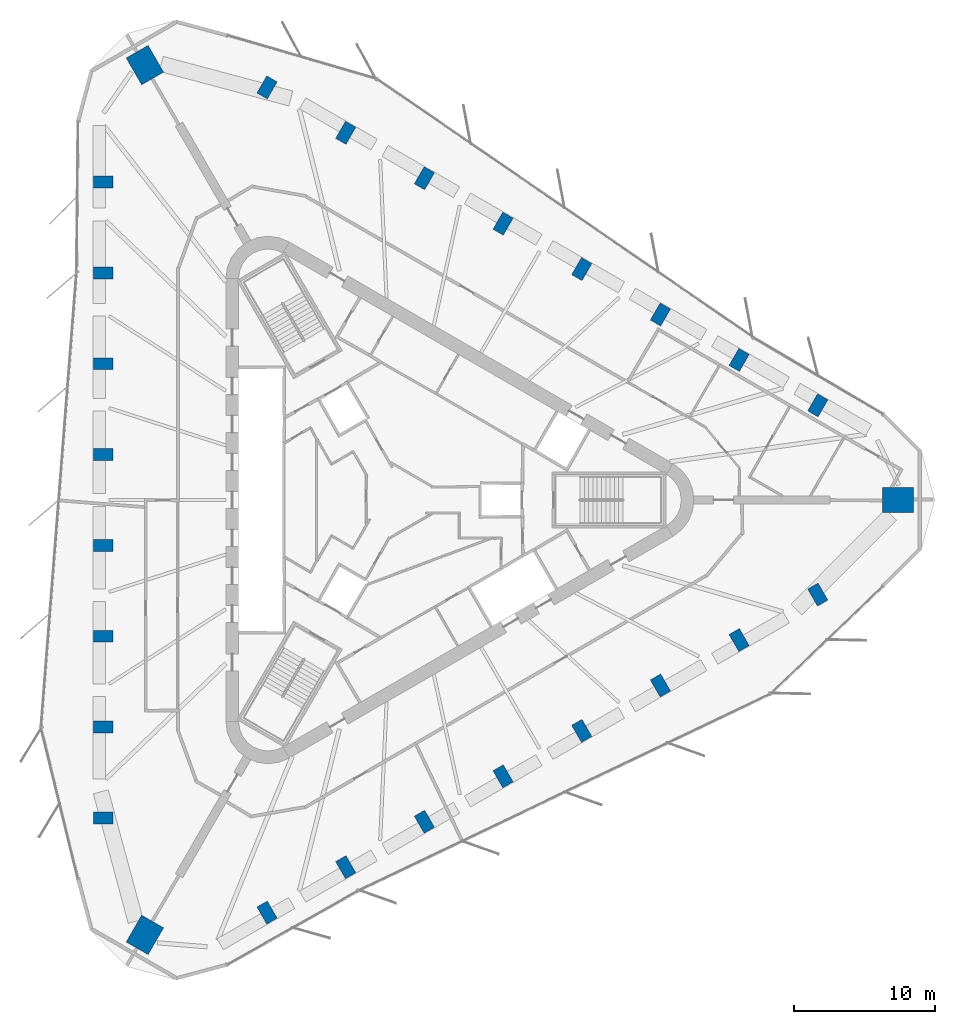
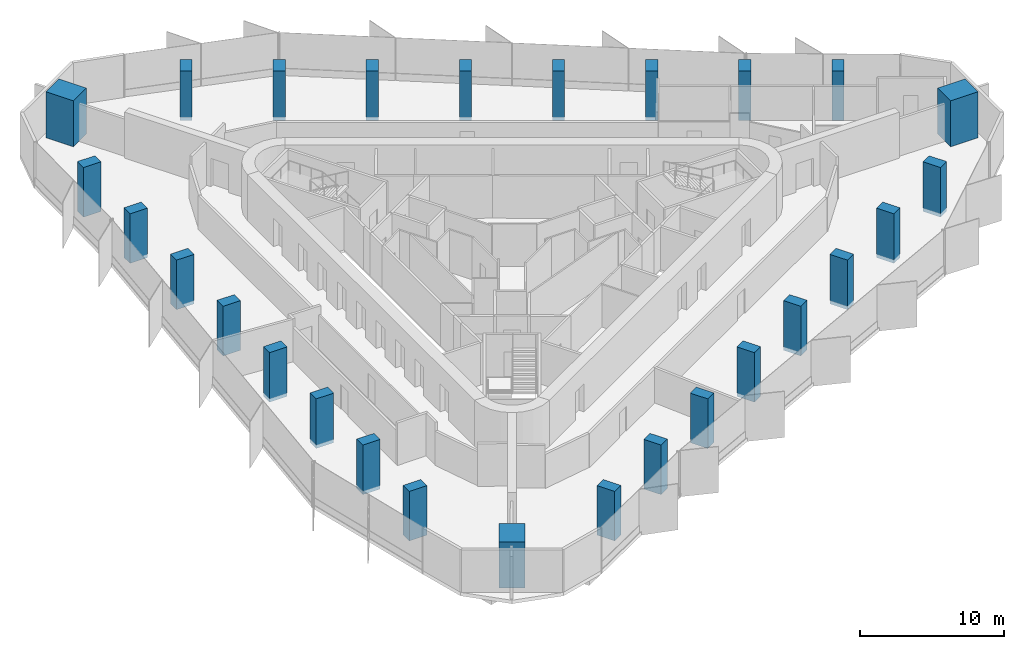
# One storey, part 1 of 14: 27 columns.
"""IFC4 building model written with IfcOpenShell, lengths in metres."""

import ifcopenshell
import ifcopenshell.guid

model = None  # the IFC model being written
_history = None  # IfcOwnerHistory: only IFC2X3 demands one
_inside = {}  # id of a spatial element -> (the spatial element, [elements in it])
_under = {}  # id of a project, library or spatial element -> (it, [spatial elements below it])
_declared = {}  # id of a project -> (the project, [libraries it declares])
_typed = {}  # id of a type object -> (the type object, [elements of that type])
_made_of = {}  # id of a material, layer set ... -> (it, [elements and type objects made of it])


def new_model(schema):
    """Start an empty IFC model of exactly this schema.

    Asked for "IFC4X3", IfcOpenShell would pick the latest addendum, in which some entities
    have other attributes; the version numbers below select the first issue.
    IFC2X3 requires an IfcOwnerHistory on every rooted entity: one is made here for all.
    """
    global model, _history
    if schema == "IFC4X3":
        model = ifcopenshell.file(schema_version=(4, 3, 0, 0))
    else:
        model = ifcopenshell.file(schema=schema)
    _inside.clear()
    _under.clear()
    _declared.clear()
    _typed.clear()
    _made_of.clear()
    _history = None
    if model.schema == "IFC2X3":
        org = make("IfcOrganization", Name="unknown")
        user = make(
            "IfcPersonAndOrganization",
            ThePerson=make("IfcPerson", FamilyName="unknown"),
            TheOrganization=org,
        )
        app = make(
            "IfcApplication",
            ApplicationDeveloper=org,
            Version="unknown",
            ApplicationFullName="unknown",
            ApplicationIdentifier="unknown",
        )
        _history = make(
            "IfcOwnerHistory",
            OwningUser=user,
            OwningApplication=app,
            ChangeAction="ADDED",
            CreationDate=0,
        )
    return model


def make(cls, **values):
    """One entity of the class cls with the attributes given. An attribute that is None is left unset."""
    return model.create_entity(
        cls, **{name: value for name, value in values.items() if value is not None}
    )


def rooted(cls, **values):
    """An entity with a GlobalId (a new one), such as an element, a storey or a relation."""
    return make(cls, GlobalId=ifcopenshell.guid.new(), OwnerHistory=_history, **values)


def si_unit(unit_type, name, prefix=None):
    """IfcSIUnit, for example si_unit("LENGTHUNIT", "METRE", prefix="MILLI")."""
    return make("IfcSIUnit", UnitType=unit_type, Prefix=prefix, Name=name)


def assignment(units):
    """IfcUnitAssignment: the units of a project."""
    return None if units is None else make("IfcUnitAssignment", Units=units)


def point(xyz):
    """IfcCartesianPoint."""
    return None if xyz is None else make("IfcCartesianPoint", Coordinates=xyz)


def direction(xyz):
    """IfcDirection."""
    return None if xyz is None else make("IfcDirection", DirectionRatios=xyz)


def frame(location, z_axis=None, x_axis=None):
    """IfcAxis2Placement3D, a coordinate frame: its origin and axes. An axis left out is left unset."""
    return make(
        "IfcAxis2Placement3D",
        Location=point(location),
        Axis=direction(z_axis),
        RefDirection=direction(x_axis),
    )


def frame_2d(location, x_axis=None):
    """IfcAxis2Placement2D, a coordinate frame in the plane: its origin and x axis."""
    return make(
        "IfcAxis2Placement2D", Location=point(location), RefDirection=direction(x_axis)
    )


def origin():
    """The frame at (0, 0, 0) with its axes left unset."""
    return frame((0.0, 0.0, 0.0))


def origin_2d():
    """The frame at (0, 0) in the plane with its x axis left unset."""
    return frame_2d((0.0, 0.0))


def place(relative_to, where):
    """IfcLocalPlacement: puts the frame where relative to a parent placement (None: the world)."""
    return make(
        "IfcLocalPlacement", PlacementRelTo=relative_to, RelativePlacement=where
    )


def context(
    kind, dimensions, precision=None, world=None, true_north=None, identifier=None
):
    """IfcGeometricRepresentationContext, for example the 3D "Model" context."""
    return make(
        "IfcGeometricRepresentationContext",
        ContextIdentifier=identifier,
        ContextType=kind,
        CoordinateSpaceDimension=dimensions,
        Precision=precision,
        WorldCoordinateSystem=world,
        TrueNorth=true_north,
    )


def subcontext(parent, identifier, kind, view, scale=None):
    """IfcGeometricRepresentationSubContext, for example "Body" below "Model"."""
    return make(
        "IfcGeometricRepresentationSubContext",
        ContextIdentifier=identifier,
        ContextType=kind,
        ParentContext=parent,
        TargetScale=scale,
        TargetView=view,
    )


def project(units=None, contexts=None):
    """IfcProject with its units and contexts."""
    return rooted(
        "IfcProject",
        Name="project",
        RepresentationContexts=contexts,
        UnitsInContext=assignment(units),
    )


def spatial(cls, under=None, at=None, **own):
    """A site, building, storey or space (cls), placed at a placement, below another one or the project."""
    s = rooted(cls, ObjectPlacement=at, **own)
    if under is not None:
        _under.setdefault(under.id(), (under, []))[1].append(s)
    return s


def profile(cls, at=None, kind="AREA", **sizes):
    """A parametric profile (cls). Its sizes go by their IFC names, for example OverallWidth=200.0."""
    return make(cls, ProfileType=kind, Position=at, **sizes)


def rectangle(**sizes):
    """IfcRectangleProfileDef."""
    return profile("IfcRectangleProfileDef", **sizes)


def extrude(swept, where, along, depth):
    """IfcExtrudedAreaSolid: the profile swept, set in the frame where, extruded along a direction by depth."""
    return make(
        "IfcExtrudedAreaSolid",
        SweptArea=swept,
        Position=where,
        ExtrudedDirection=direction(along),
        Depth=depth,
    )


def shape(context_of_items, identifier, shape_type, items):
    """IfcShapeRepresentation: the items that make up one representation, for example the "Body"."""
    return make(
        "IfcShapeRepresentation",
        ContextOfItems=context_of_items,
        RepresentationIdentifier=identifier,
        RepresentationType=shape_type,
        Items=items,
    )


def material(Name=None, Category=None):
    """IfcMaterial."""
    return make("IfcMaterial", Name=Name, Category=Category)


def material_profile(
    of_material, cross_section, Name=None, Category=None, Priority=None
):
    """IfcMaterialProfile: a cross section and its material."""
    return make(
        "IfcMaterialProfile",
        Name=Name,
        Material=of_material,
        Profile=cross_section,
        Priority=Priority,
        Category=Category,
    )


def profile_set(profiles, Name=None, composite=None):
    """IfcMaterialProfileSet."""
    return make(
        "IfcMaterialProfileSet",
        Name=Name,
        MaterialProfiles=profiles,
        CompositeProfile=composite,
    )


def made_of(thing, what):
    """Note that an element or type object is made of a material, layer set ...; save() writes the relation."""
    if what is not None:
        _made_of.setdefault(what.id(), (what, []))[1].append(thing)
    return thing


def type_object(cls, material=None, **own):
    """A type object (cls), such as IfcWallType, which elements share."""
    return made_of(rooted(cls, **own), material)


def element(
    cls,
    number,
    at=None,
    inside=None,
    cuts=None,
    type_object=None,
    material=None,
    context=None,
    identifier="Body",
    shape_type=None,
    held_by="IfcProductDefinitionShape",
    body=None,
    shapes=None,
    **own,
):
    """One element of the class cls, such as IfcWall. Its Tag is "e" and its number.

    at: its placement. inside: the storey or other place that contains it. cuts: it is an
    opening in that element (IfcRelVoidsElement). A single representation is given by context,
    identifier, shape_type and body (its items); several are given by shapes. held_by: the class
    of the entity that holds the representations. save() writes the other relations.
    """
    e = rooted(cls, Tag="e%d" % number, ObjectPlacement=at, **own)
    if body is not None:
        shapes = [shape(context, identifier, shape_type, body)]
    if shapes is not None:
        e.Representation = make(held_by, Representations=shapes)
    if inside is not None:
        _inside.setdefault(inside.id(), (inside, []))[1].append(e)
    if cuts is not None:
        rooted(
            "IfcRelVoidsElement", RelatingBuildingElement=cuts, RelatedOpeningElement=e
        )
    if type_object is not None:
        _typed.setdefault(type_object.id(), (type_object, []))[1].append(e)
    return made_of(e, material)


def aggregate(whole, parts):
    """IfcRelAggregates: a whole, such as a stair, and the parts it consists of."""
    return rooted("IfcRelAggregates", RelatingObject=whole, RelatedObjects=parts)


def save(model, path):
    """Write the relations noted so far, then the file.

    IfcRelAggregates (storeys below a building ...), IfcRelContainedInSpatialStructure (elements
    in a storey), IfcRelDefinesByType, IfcRelAssociatesMaterial and IfcRelDeclares: one each for
    every whole, place, type object, material and project.
    """
    for whole, parts in _under.values():
        aggregate(whole, parts)
    for where, things in _inside.values():
        rooted(
            "IfcRelContainedInSpatialStructure",
            RelatedElements=things,
            RelatingStructure=where,
        )
    for kind, things in _typed.values():
        rooted("IfcRelDefinesByType", RelatedObjects=things, RelatingType=kind)
    for what, things in _made_of.values():
        rooted("IfcRelAssociatesMaterial", RelatedObjects=things, RelatingMaterial=what)
    for by, libraries in _declared.values():
        rooted("IfcRelDeclares", RelatingContext=by, RelatedDefinitions=libraries)
    model.write(path)


model = new_model("IFC4")

# Units and contexts
model_context = context("Model", 3, precision=1e-05, world=origin(), true_north=direction((0.0, 1.0)))
body_context = subcontext(model_context, "Body", "Model", "MODEL_VIEW")
ifc_project = project(units=[si_unit("LENGTHUNIT", "METRE"), si_unit("AREAUNIT", "SQUARE_METRE"), si_unit("VOLUMEUNIT", "CUBIC_METRE"), si_unit("PLANEANGLEUNIT", "RADIAN"), si_unit("MASSUNIT", "GRAM", prefix="KILO")], contexts=[model_context])

# Site, building, storey
site_placement = place(None, origin())
site = spatial("IfcSite", under=ifc_project, at=site_placement, CompositionType="ELEMENT")
building_placement = place(site_placement, origin())
building = spatial("IfcBuilding", under=site, at=building_placement, Name="Tanit Gate Tower", CompositionType="ELEMENT")
storey_placement = place(building_placement, frame((0.0, 0.0, 298.699951171875)))
storey = spatial("IfcBuildingStorey", under=building, at=storey_placement, Name="L66", CompositionType="ELEMENT", Elevation=298.699951171875)

# Columns
ifc_material_1 = material(Name="Concrete C50/60", Category="concrete")
ifc_material_profile_1 = material_profile(ifc_material_1, rectangle(XDim=2.199951171875, YDim=1.800048828125, at=origin_2d()), Name="RC 2200x1800")
ifc_profile_set_1 = profile_set([ifc_material_profile_1], Name="Concrete C50/60")
column_type_1 = type_object("IfcColumnType", Name="MEGA COLUMN 2200x1800 C50/60", PredefinedType="COLUMN", material=ifc_profile_set_1)
for number, where, z_axis, x_axis, name in (
    (1, (35.730712890625, 0.0, 0.0), (0.0, 0.0, 1.0), (1.0, 0.0, 0.0), "MEGA COLUMN"),
    (2, (-17.865478515625, 30.943603515625, 0.0), (0.0, 0.0, 1.0), (-0.5, 0.866025403784, 0.0), "MEGA COLUMN"),
    (3, (-17.865478515625, -30.943603515625, 0.0), (0.0, 0.0, 1.0), (-0.5, -0.866025403784, 0.0), "MEGA COLUMN"),
):
    element("IfcColumn", number, at=place(storey_placement, frame(where, z_axis=z_axis, x_axis=x_axis)), inside=storey, type_object=column_type_1, Name=name, PredefinedType="COLUMN", context=body_context, shape_type="SweptSolid", body=[
        extrude(rectangle(XDim=2.199951171875, YDim=1.800048828125, at=origin_2d()), origin(), (0.0, 0.0, 1.0), 3.900146484375),
    ])
ifc_material_2 = material(Name="Concrete C40/50", Category="concrete")
ifc_material_profile_2 = material_profile(ifc_material_2, rectangle(XDim=1.39990234375, YDim=0.85009765625, at=origin_2d()), Name="RC 1400x850")
ifc_profile_set_2 = profile_set([ifc_material_profile_2], Name="Concrete C40/50")
column_type_2 = type_object("IfcColumnType", Name="PERIMETER COLUMN 1400x850 C40/50", PredefinedType="COLUMN", material=ifc_profile_set_2)
for number, where, z_axis, x_axis, name in (
    (4, (-20.83544921875, 22.62353515625, -0.300048828125), (0.0, 0.0, 1.0), (-1.0, 0.0, 0.0), "PERIMETER COLUMN"),
    (5, (-20.83544921875, 16.15966796875, -0.300048828125), (0.0, 0.0, 1.0), (-1.0, 0.0, 0.0), "PERIMETER COLUMN"),
    (6, (-20.83544921875, 9.69580078125, -0.300048828125), (0.0, 0.0, 1.0), (-1.0, 0.0, 0.0), "PERIMETER COLUMN"),
    (7, (-20.83544921875, 3.23193359375, -0.300048828125), (0.0, 0.0, 1.0), (-1.0, 0.0, 0.0), "PERIMETER COLUMN"),
    (8, (-20.83544921875, -3.23193359375, -0.300048828125), (0.0, 0.0, 1.0), (-1.0, 0.0, 0.0), "PERIMETER COLUMN"),
    (9, (-20.83544921875, -9.69580078125, -0.300048828125), (0.0, 0.0, 1.0), (-1.0, 0.0, 0.0), "PERIMETER COLUMN"),
    (10, (-20.83544921875, -16.15966796875, -0.300048828125), (0.0, 0.0, 1.0), (-1.0, 0.0, 0.0), "PERIMETER COLUMN"),
    (11, (-20.83544921875, -22.62353515625, -0.300048828125), (0.0, 0.0, 1.0), (-1.0, 0.0, 0.0), "PERIMETER COLUMN"),
    (12, (30.010498046875, 6.732177734375, -0.300048828125), (0.0, 0.0, 1.0), (0.5, 0.866025403784, 0.0), "PERIMETER COLUMN"),
    (13, (24.41259765625, 9.964111328125, -0.300048828125), (0.0, 0.0, 1.0), (0.5, 0.866025403784, 0.0), "PERIMETER COLUMN"),
    (14, (18.814697265625, 13.196044921875, -0.300048828125), (0.0, 0.0, 1.0), (0.5, 0.866025403784, 0.0), "PERIMETER COLUMN"),
    (15, (13.216796875, 16.427978515625, -0.300048828125), (0.0, 0.0, 1.0), (0.5, 0.866025403784, 0.0), "PERIMETER COLUMN"),
    (16, (7.618896484375, 19.659912109375, -0.300048828125), (0.0, 0.0, 1.0), (0.5, 0.866025403784, 0.0), "PERIMETER COLUMN"),
    (17, (2.02099609375, 22.89208984375, -0.300048828125), (0.0, 0.0, 1.0), (0.5, 0.866025403784, 0.0), "PERIMETER COLUMN"),
    (18, (-3.576904296875, 26.123779296875, -0.300048828125), (0.0, 0.0, 1.0), (0.5, 0.866025403784, 0.0), "PERIMETER COLUMN"),
    (19, (-9.1748046875, 29.35595703125, -0.300048828125), (0.0, 0.0, 1.0), (0.5, 0.866025403784, 0.0), "PERIMETER COLUMN"),
    (20, (-9.1748046875, -29.35595703125, -0.300048828125), (0.0, 0.0, 1.0), (0.5, -0.866025403784, 0.0), "PERIMETER COLUMN"),
    (21, (-3.576904296875, -26.123779296875, -0.300048828125), (0.0, 0.0, 1.0), (0.5, -0.866025403784, 0.0), "PERIMETER COLUMN"),
    (22, (2.02099609375, -22.89208984375, -0.300048828125), (0.0, 0.0, 1.0), (0.5, -0.866025403784, 0.0), "PERIMETER COLUMN"),
    (23, (7.618896484375, -19.659912109375, -0.300048828125), (0.0, 0.0, 1.0), (0.5, -0.866025403784, 0.0), "PERIMETER COLUMN"),
    (24, (13.216796875, -16.427978515625, -0.300048828125), (0.0, 0.0, 1.0), (0.5, -0.866025403784, 0.0), "PERIMETER COLUMN"),
    (25, (18.814697265625, -13.196044921875, -0.300048828125), (0.0, 0.0, 1.0), (0.5, -0.866025403784, 0.0), "PERIMETER COLUMN"),
    (26, (24.41259765625, -9.964111328125, -0.300048828125), (0.0, 0.0, 1.0), (0.5, -0.866025403784, 0.0), "PERIMETER COLUMN"),
    (27, (30.010498046875, -6.732177734375, -0.300048828125), (0.0, 0.0, 1.0), (0.5, -0.866025403784, 0.0), "PERIMETER COLUMN"),
):
    element("IfcColumn", number, at=place(storey_placement, frame(where, z_axis=z_axis, x_axis=x_axis)), inside=storey, type_object=column_type_2, Name=name, PredefinedType="COLUMN", context=body_context, shape_type="SweptSolid", body=[
        extrude(rectangle(XDim=1.39990234375, YDim=0.85009765625, at=origin_2d()), origin(), (0.0, 0.0, 1.0), 4.2001953125),
    ])

save(model, "model.ifc")
